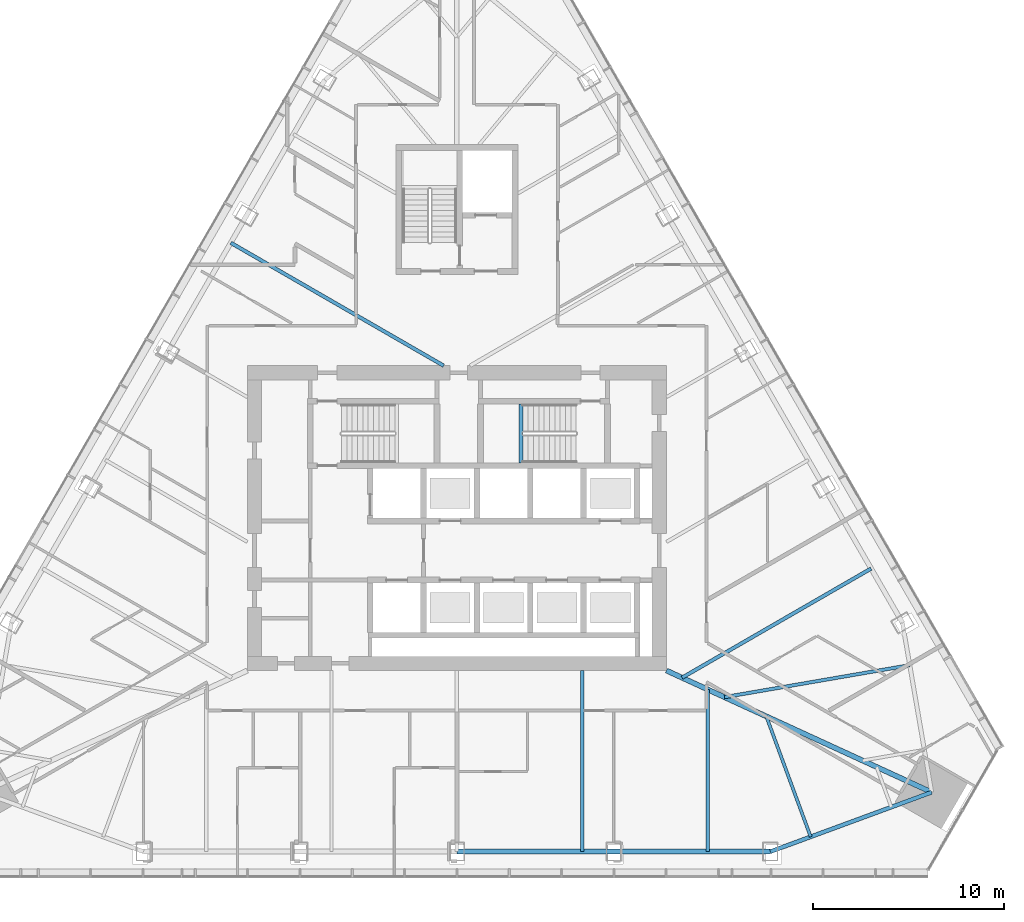
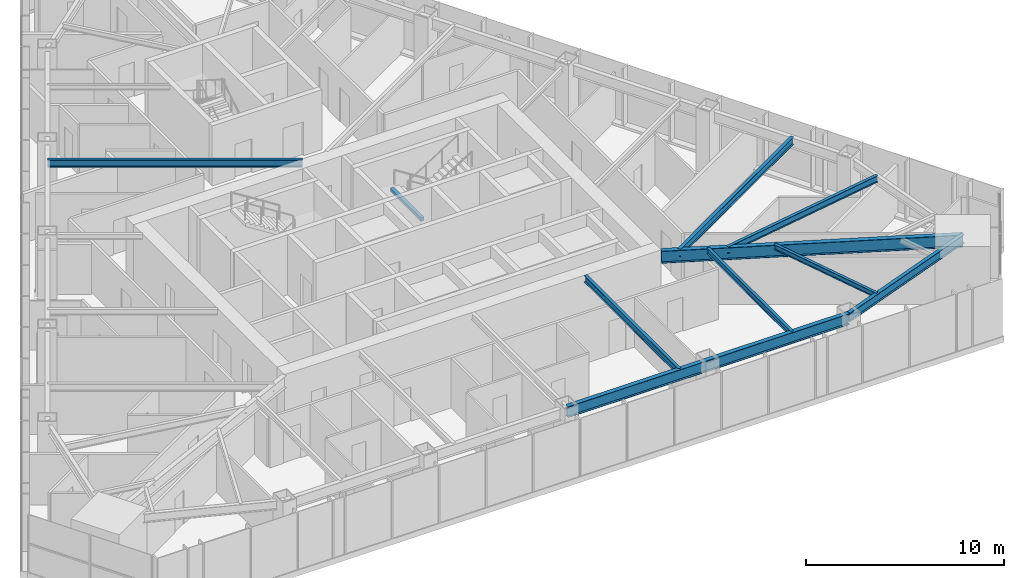
# One storey, part 5 of 16: 10 beams.
"""IFC4 building model written with IfcOpenShell, lengths in metres."""

from ifc_helpers import new_model, si_unit, direction, frame, origin, origin_2d, place, context, subcontext, project, spatial, rectangle, i_section, extrude, material, material_profile, profile_set, type_object, element, save


model = new_model("IFC4")

# Units and contexts
model_context = context("Model", 3, precision=1e-05, world=origin(), true_north=direction((0.0, 1.0)))
body_context = subcontext(model_context, "Body", "Model", "MODEL_VIEW")
ifc_project = project(units=[si_unit("LENGTHUNIT", "METRE"), si_unit("AREAUNIT", "SQUARE_METRE"), si_unit("VOLUMEUNIT", "CUBIC_METRE"), si_unit("PLANEANGLEUNIT", "RADIAN"), si_unit("MASSUNIT", "GRAM", prefix="KILO")], contexts=[model_context])

# Site, building, storey
site_placement = place(None, origin())
site = spatial("IfcSite", under=ifc_project, at=site_placement, CompositionType="ELEMENT")
building_placement = place(site_placement, origin())
building = spatial("IfcBuilding", under=site, at=building_placement, Name="Firuza Gate Tower and Library", CompositionType="ELEMENT")
storey_placement = place(building_placement, frame((0.0, 0.0, 229.89990234375)))
storey = spatial("IfcBuildingStorey", under=building, at=storey_placement, Name="L54", CompositionType="ELEMENT", Elevation=229.89990234375)

# Beams
ifc_material_1 = material(Name="Concrete C35/45", Category="concrete")
ifc_material_profile_1 = material_profile(ifc_material_1, rectangle(XDim=0.199951171875, YDim=0.199951171875, at=origin_2d()))
ifc_profile_set_1 = profile_set([ifc_material_profile_1], Name="Concrete C35/45")
beam_type_1 = type_object("IfcBeamType", Name="Stair landing bearer 200x200", PredefinedType="BEAM", material=ifc_profile_set_1)
beam_1_placement = place(storey_placement, frame((78.360107421875, 80.97998046875, 1.650146484375), z_axis=(0.0, -1.0, 0.0), x_axis=(1.0, 0.0, 0.0)))
element("IfcBeam", 1, at=beam_1_placement, inside=storey, type_object=beam_type_1, Name="Landing bearer L54 stair 2", PredefinedType="BEAM", context=body_context, shape_type="SweptSolid", body=[
    extrude(rectangle(XDim=0.199951171875, YDim=0.199951171875, at=origin_2d()), origin(), (0.0, 0.0, 1.0), 3.080078125),
])
ifc_material_2 = material(Name="Steel S355", Category="steel")
ifc_material_profile_2 = material_profile(ifc_material_2, i_section(OverallWidth=0.1650390625, OverallDepth=0.31005859375, WebThickness=0.005859375, FlangeThickness=0.009765625, at=origin_2d()))
ifc_profile_set_2 = profile_set([ifc_material_profile_2], Name="Steel S355")
beam_type_2 = type_object("IfcBeamType", Name="W310x39 Floor beam", PredefinedType="JOIST", material=ifc_profile_set_2)
beam_2_placement = place(storey_placement, frame((93.56787109375, 58.275390625, 3.545166015625), z_axis=(-0.3455793619, 0.938389527131, 0.0), x_axis=(-0.938389527131, -0.3455793619, 0.0)))
element("IfcBeam", 2, at=beam_2_placement, inside=storey, type_object=beam_type_2, Name="Floor beam L54 s30", PredefinedType="JOIST", context=body_context, shape_type="SweptSolid", body=[
    extrude(i_section(OverallWidth=0.1650390625, OverallDepth=0.31005859375, WebThickness=0.005859375, FlangeThickness=0.009765625, at=origin_2d()), origin(), (0.0, 0.0, 1.0), 6.73486328125),
])
ifc_material_3 = material(Name="Steel S355", Category="steel")
ifc_material_profile_3 = material_profile(ifc_material_3, i_section(OverallWidth=0.1708984375, OverallDepth=0.35498046875, WebThickness=0.007080078125, FlangeThickness=0.01171875, at=origin_2d()))
ifc_profile_set_3 = profile_set([ifc_material_profile_3], Name="Steel S355")
beam_type_3 = type_object("IfcBeamType", Name="W360x51 Floor beam", PredefinedType="JOIST", material=ifc_profile_set_3)
beam_3_placement = place(storey_placement, frame((88.160888671875, 57.49609375, 3.522705078125), z_axis=(0.0, 1.0, 0.0), x_axis=(-1.0, 0.0, 0.0)))
element("IfcBeam", 3, at=beam_3_placement, inside=storey, type_object=beam_type_3, Name="Floor beam L54 s24", PredefinedType="JOIST", context=body_context, shape_type="SweptSolid", body=[
    extrude(i_section(OverallWidth=0.1708984375, OverallDepth=0.35498046875, WebThickness=0.007080078125, FlangeThickness=0.01171875, at=origin_2d()), origin(), (0.0, 0.0, 1.0), 8.512451171875),
])
ifc_material_4 = material(Name="Steel S355", Category="steel")
ifc_material_profile_4 = material_profile(ifc_material_4, i_section(OverallWidth=0.177978515625, OverallDepth=0.406982421875, WebThickness=0.0078125, FlangeThickness=0.0126953125, at=origin_2d()))
ifc_profile_set_4 = profile_set([ifc_material_profile_4], Name="Steel S355")
beam_type_4 = type_object("IfcBeamType", Name="W410x60 Floor beam", PredefinedType="JOIST", material=ifc_profile_set_4)
beam_4_placement = place(storey_placement, frame((81.580322265625, 57.49609375, 3.49658203125), z_axis=(0.0, 1.0, 0.0), x_axis=(-1.0, 0.0, 0.0)))
element("IfcBeam", 4, at=beam_4_placement, inside=storey, type_object=beam_type_4, Name="Floor beam L54 s23", PredefinedType="JOIST", context=body_context, shape_type="SweptSolid", body=[
    extrude(i_section(OverallWidth=0.177978515625, OverallDepth=0.406982421875, WebThickness=0.0078125, FlangeThickness=0.0126953125, at=origin_2d()), origin(), (0.0, 0.0, 1.0), 9.50390625),
])
beam_5_placement = place(storey_placement, frame((98.767822265625, 67.2822265625, 3.49658203125), z_axis=(-0.985452403009, -0.169951644313, 0.0), x_axis=(0.169951644313, -0.985452403009, 0.0)))
element("IfcBeam", 5, at=beam_5_placement, inside=storey, type_object=beam_type_4, Name="Floor beam L54 s41", PredefinedType="JOIST", context=body_context, shape_type="SweptSolid", body=[
    extrude(i_section(OverallWidth=0.177978515625, OverallDepth=0.406982421875, WebThickness=0.0078125, FlangeThickness=0.0126953125, at=origin_2d()), origin(), (0.0, 0.0, 1.0), 9.870361328125),
])
ifc_material_5 = material(Name="Steel S355", Category="steel")
ifc_material_profile_5 = material_profile(ifc_material_5, i_section(OverallWidth=0.18994140625, OverallDepth=0.45703125, WebThickness=0.009033203125, FlangeThickness=0.014404296875, at=origin_2d()))
ifc_profile_set_5 = profile_set([ifc_material_profile_5], Name="Steel S355")
beam_type_5 = type_object("IfcBeamType", Name="W460x74 Floor beam", PredefinedType="JOIST", material=ifc_profile_set_5)
beam_6_placement = place(storey_placement, frame((96.7392578125, 72.354248046875, 3.4716796875), z_axis=(-0.866023783073, -0.500002807145, 0.0), x_axis=(0.500002807145, -0.866023783073, 0.0)))
element("IfcBeam", 6, at=beam_6_placement, inside=storey, type_object=beam_type_5, Name="Floor beam L54 s50", PredefinedType="JOIST", context=body_context, shape_type="SweptSolid", body=[
    extrude(i_section(OverallWidth=0.18994140625, OverallDepth=0.45703125, WebThickness=0.009033203125, FlangeThickness=0.014404296875, at=origin_2d()), origin(), (0.0, 0.0, 1.0), 11.4580078125),
])
beam_7_placement = place(storey_placement, frame((63.13134765625, 89.450927734375, 3.4716796875), z_axis=(0.866020774712, -0.500008017704, 0.0), x_axis=(0.500008017704, 0.866020774712, 0.0)))
element("IfcBeam", 7, at=beam_7_placement, inside=storey, type_object=beam_type_5, Name="Floor beam L54 s81", PredefinedType="JOIST", context=body_context, shape_type="SweptSolid", body=[
    extrude(i_section(OverallWidth=0.18994140625, OverallDepth=0.45703125, WebThickness=0.009033203125, FlangeThickness=0.014404296875, at=origin_2d()), origin(), (0.0, 0.0, 1.0), 12.901611328125),
])
ifc_material_6 = material(Name="Steel S355", Category="steel")
ifc_material_profile_6 = material_profile(ifc_material_6, i_section(OverallWidth=0.212890625, OverallDepth=0.5390625, WebThickness=0.01171875, FlangeThickness=0.018798828125, at=origin_2d()))
ifc_profile_set_6 = profile_set([ifc_material_profile_6], Name="Steel S355")
beam_type_6 = type_object("IfcBeamType", Name="W530x109 Edge beam", PredefinedType="SPANDREL", material=ifc_profile_set_6)
beam_8_placement = place(storey_placement, frame((91.451171875, 57.49609375, 3.4306640625), z_axis=(0.938399929304, 0.345551114427, 0.0), x_axis=(-0.345551114427, 0.938399929304, 0.0)))
element("IfcBeam", 8, at=beam_8_placement, inside=storey, type_object=beam_type_6, Name="Edge beam L54 e30", PredefinedType="SPANDREL", context=body_context, shape_type="SweptSolid", body=[
    extrude(i_section(OverallWidth=0.212890625, OverallDepth=0.5390625, WebThickness=0.01171875, FlangeThickness=0.018798828125, at=origin_2d()), origin(), (0.0, 0.0, 1.0), 9.022216796875),
])
ifc_material_7 = material(Name="Steel S355", Category="steel")
ifc_material_profile_7 = material_profile(ifc_material_7, i_section(OverallWidth=0.2529296875, OverallDepth=0.677978515625, WebThickness=0.01171875, FlangeThickness=0.016357421875, at=origin_2d()))
ifc_profile_set_7 = profile_set([ifc_material_profile_7], Name="Steel S355")
beam_type_7 = type_object("IfcBeamType", Name="W690x125 Edge beam", PredefinedType="SPANDREL", material=ifc_profile_set_7)
beam_9_placement = place(storey_placement, frame((75.0, 57.49609375, 3.361083984375), z_axis=(1.0, 0.0, 0.0), x_axis=(0.0, 1.0, 0.0)))
element("IfcBeam", 9, at=beam_9_placement, inside=storey, type_object=beam_type_7, Name="Edge beam L54 e22", PredefinedType="SPANDREL", context=body_context, shape_type="SweptSolid", body=[
    extrude(i_section(OverallWidth=0.2529296875, OverallDepth=0.677978515625, WebThickness=0.01171875, FlangeThickness=0.016357421875, at=origin_2d()), origin(), (0.0, 0.0, 1.0), 16.451171875),
])
ifc_material_8 = material(Name="Steel S355", Category="steel")
ifc_material_profile_8 = material_profile(ifc_material_8, i_section(OverallWidth=0.264892578125, OverallDepth=0.7529296875, WebThickness=0.01318359375, FlangeThickness=0.01708984375, at=origin_2d()))
ifc_profile_set_8 = profile_set([ifc_material_profile_8], Name="Steel S355")
beam_type_8 = type_object("IfcBeamType", Name="W760x147 Girder", PredefinedType="BEAM", material=ifc_profile_set_8)
beam_10_placement = place(storey_placement, frame((99.917724609375, 60.61376953125, 3.323486328125), z_axis=(-0.908884831749, 0.417047194711, 0.0), x_axis=(-0.417047194711, -0.908884831749, 0.0)))
element("IfcBeam", 10, at=beam_10_placement, inside=storey, type_object=beam_type_8, Name="Girder L54 gSE", PredefinedType="BEAM", context=body_context, shape_type="SweptSolid", body=[
    extrude(i_section(OverallWidth=0.264892578125, OverallDepth=0.7529296875, WebThickness=0.01318359375, FlangeThickness=0.01708984375, at=origin_2d()), origin(), (0.0, 0.0, 1.0), 15.31298828125),
])

save(model, "model.ifc")
